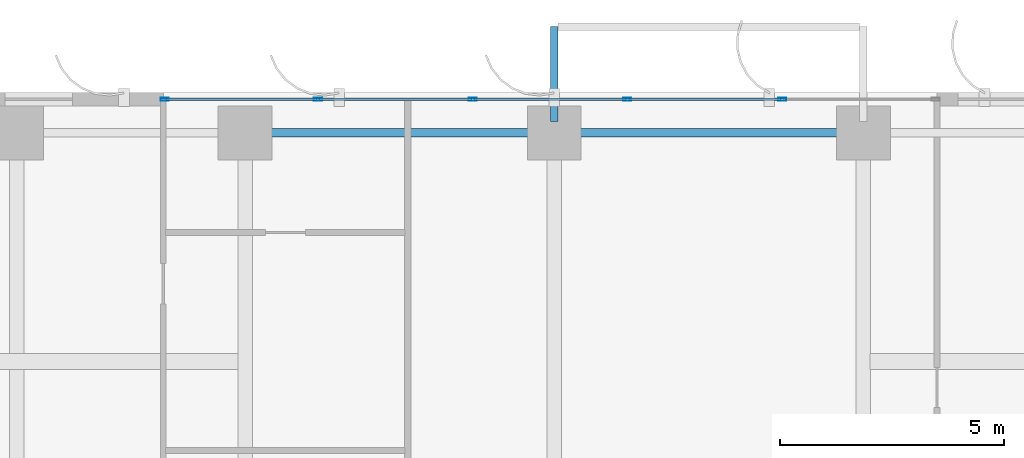
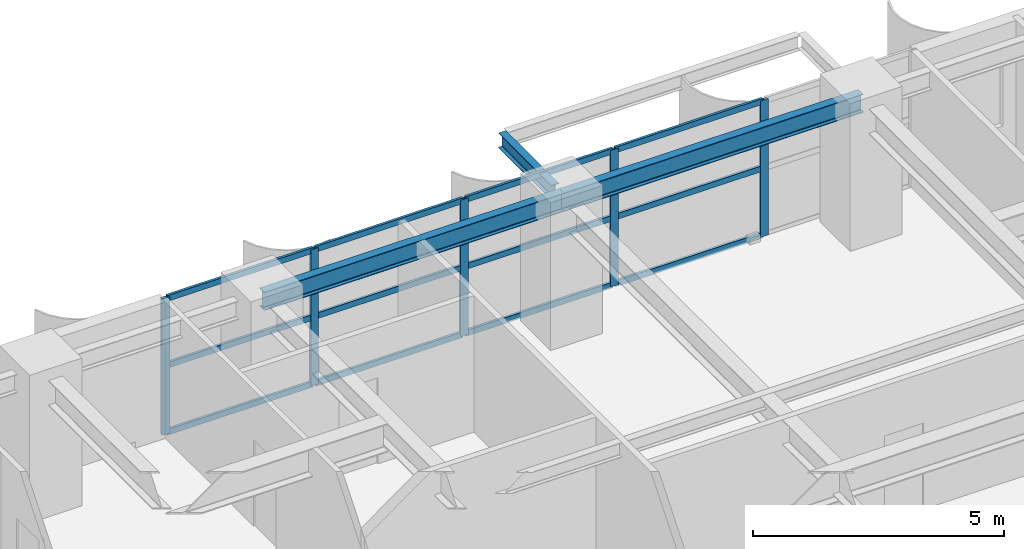
# One storey, part 12 of 25: 17 members, 3 beams, 1 element without a shape of its own.
"""IFC4 building model written with IfcOpenShell, lengths in metres."""

from ifc_helpers import new_model, si_unit, direction, frame, origin, origin_2d, place, context, subcontext, project, spatial, hollow_rectangle, i_section, extrude, source, transform, mapped, material, layer, layer_set, material_profile, profile_set, type_object, element, aggregate, save


model = new_model("IFC4")

# Units and contexts
model_context = context("Model", 3, precision=1e-05, world=origin(), true_north=direction((0.0, 1.0)))
body_context = subcontext(model_context, "Body", "Model", "MODEL_VIEW")
ifc_project = project(units=[si_unit("LENGTHUNIT", "METRE"), si_unit("AREAUNIT", "SQUARE_METRE"), si_unit("VOLUMEUNIT", "CUBIC_METRE"), si_unit("PLANEANGLEUNIT", "RADIAN"), si_unit("MASSUNIT", "GRAM", prefix="KILO")], contexts=[model_context])

# Site, building, storey
site_placement = place(None, origin())
site = spatial("IfcSite", under=ifc_project, at=site_placement, CompositionType="ELEMENT")
building_placement = place(site_placement, origin())
building = spatial("IfcBuilding", under=site, at=building_placement, Name="Khoralis Quay Care Tower", CompositionType="ELEMENT")
storey_placement = place(building_placement, frame((0.0, 0.0, 65.699951171875)))
storey = spatial("IfcBuildingStorey", under=building, at=storey_placement, Name="L17", CompositionType="ELEMENT", Elevation=65.699951171875)

# Beams
ifc_material_1 = material(Name="Steel S355", Category="steel")
ifc_material_profile_1 = material_profile(ifc_material_1, i_section(OverallWidth=0.18994140625, OverallDepth=0.449951171875, WebThickness=0.009521484375, FlangeThickness=0.0146484375, FilletRadius=0.02099609375, at=origin_2d()), Name="Steel S355")
ifc_profile_set_1 = profile_set([ifc_material_profile_1], Name="Steel S355")
beam_type_1 = type_object("IfcBeamType", Name="BM-IPE450", PredefinedType="SPANDREL", material=ifc_profile_set_1)
shared_shape_1 = source(origin(), body_context, "Body", "SweptSolid", [
    extrude(i_section(OverallWidth=0.18994140625, OverallDepth=0.449951171875, WebThickness=0.009521484375, FlangeThickness=0.0146484375, FilletRadius=0.02099609375, at=origin_2d()), origin(), (0.0, 0.0, 1.0), 6.89990234375),
])
for number, where, z_axis, x_axis, name in (
    (1, (17.10009765625, 47.10009765625, 3.094970703125), (1.0, 0.0, 0.0), (0.0, 1.0, 0.0), "BM-TSP-L17-09"),
    (2, (24.0, 47.10009765625, 3.094970703125), (1.0, 0.0, 0.0), (0.0, 1.0, 0.0), "BM-TSP-L17-10"),
):
    element("IfcBeam", number, at=place(storey_placement, frame(where, z_axis=z_axis, x_axis=x_axis)), inside=storey, type_object=beam_type_1, Name=name, PredefinedType="SPANDREL", context=body_context, shape_type="MappedRepresentation", body=[
        mapped(shared_shape_1, transform((0.0, 0.0, 0.0), scale=1.0)),
    ])

# Curtain wall, members
ifc_material_2 = material(Name="Pale anodised aluminium", Category="aluminium")
ifc_layer = layer(ifc_material_2, 0.179931640625)
ifc_layer_set = layer_set([ifc_layer], Name="Pale anodised aluminium")
curtain_wall_type = type_object("IfcCurtainWallType", Name="CW-SYS-Z1", PredefinedType="NOTDEFINED", material=ifc_layer_set)
curtain_wall_placement = place(storey_placement, origin())
curtain_wall = element("IfcCurtainWall", 3, at=curtain_wall_placement, inside=storey, type_object=curtain_wall_type, Name="L17 Unitised Curtain Wall CW-L17-P1-E10", PredefinedType="NOTDEFINED")
ifc_material_profile_2 = material_profile(ifc_material_2, hollow_rectangle(XDim=0.06494140625, YDim=0.179931640625, WallThickness=0.00390625, at=origin_2d()), Name="Pale anodised aluminium")
ifc_profile_set_2 = profile_set([ifc_material_profile_2], Name="Pale anodised aluminium")
member_type_1 = type_object("IfcMemberType", Name="CW-MUL-180", PredefinedType="MULLION", material=ifc_profile_set_2)
shared_shape_2 = source(origin(), body_context, "Body", "SweptSolid", [
    extrude(hollow_rectangle(XDim=0.06494140625, YDim=0.179931640625, WallThickness=0.00390625, at=origin_2d()), origin(), (0.0, 0.0, 1.0), 3.320068359375),
])
member_1_placement = place(storey_placement, frame((29.0869140625, 47.85009765625, 0.0), z_axis=(0.0, 0.0, 1.0), x_axis=(0.0, -1.0, 0.0)))
member_1 = element("IfcMember", 4, at=member_1_placement, type_object=member_type_1, Name="CW1 mullion 2", PredefinedType="MULLION", context=body_context, shape_type="MappedRepresentation", body=[
    mapped(shared_shape_2, transform((0.0, 0.0, 0.0), scale=1.0)),
])
member_2_placement = place(storey_placement, frame((25.633544921875, 47.85009765625, 0.0), z_axis=(0.0, 0.0, 1.0), x_axis=(0.0, -1.0, 0.0)))
member_2 = element("IfcMember", 5, at=member_2_placement, type_object=member_type_1, Name="CW1 mullion 3", PredefinedType="MULLION", context=body_context, shape_type="MappedRepresentation", body=[
    mapped(shared_shape_2, transform((0.0, 0.0, 0.0), scale=1.0)),
])
member_3_placement = place(storey_placement, frame((22.180419921875, 47.85009765625, 0.0), z_axis=(0.0, 0.0, 1.0), x_axis=(0.0, -1.0, 0.0)))
member_3 = element("IfcMember", 6, at=member_3_placement, type_object=member_type_1, Name="CW1 mullion 4", PredefinedType="MULLION", context=body_context, shape_type="MappedRepresentation", body=[
    mapped(shared_shape_2, transform((0.0, 0.0, 0.0), scale=1.0)),
])
member_4_placement = place(storey_placement, frame((18.727294921875, 47.85009765625, 0.0), z_axis=(0.0, 0.0, 1.0), x_axis=(0.0, -1.0, 0.0)))
member_4 = element("IfcMember", 7, at=member_4_placement, type_object=member_type_1, Name="CW1 mullion 5", PredefinedType="MULLION", context=body_context, shape_type="MappedRepresentation", body=[
    mapped(shared_shape_2, transform((0.0, 0.0, 0.0), scale=1.0)),
])
member_5_placement = place(storey_placement, frame((15.303955078125, 47.85009765625, 0.0), z_axis=(0.0, 0.0, 1.0), x_axis=(0.0, -1.0, 0.0)))
member_5 = element("IfcMember", 8, at=member_5_placement, type_object=member_type_1, Name="CW1 mullion 6", PredefinedType="MULLION", context=body_context, shape_type="MappedRepresentation", body=[
    mapped(shared_shape_2, transform((0.0, 0.0, 0.0), scale=1.0)),
])

# Beam
ifc_material_profile_3 = material_profile(ifc_material_1, i_section(OverallWidth=0.169921875, OverallDepth=0.360107421875, WebThickness=0.008056640625, FlangeThickness=0.0126953125, FilletRadius=0.01806640625, at=origin_2d()), Name="Steel S355")
ifc_profile_set_3 = profile_set([ifc_material_profile_3], Name="Steel S355")
beam_type_2 = type_object("IfcBeamType", Name="BM-IPE360", PredefinedType="SPANDREL", material=ifc_profile_set_3)
shared_shape_3 = source(origin(), body_context, "Body", "SweptSolid", [
    extrude(i_section(OverallWidth=0.169921875, OverallDepth=0.360107421875, WebThickness=0.008056640625, FlangeThickness=0.0126953125, FilletRadius=0.01806640625, at=origin_2d()), origin(), (0.0, 0.0, 1.0), 2.119873046875),
])
beam_placement = place(storey_placement, frame((24.0, 47.35009765625, 3.14404296875), z_axis=(0.0, 1.0, 0.0), x_axis=(-1.0, 0.0, 0.0)))
element("IfcBeam", 9, at=beam_placement, inside=storey, type_object=beam_type_2, Name="L18 Balcony Cantilever Outrigger Beam 1", PredefinedType="SPANDREL", context=body_context, shape_type="MappedRepresentation", body=[
    mapped(shared_shape_3, transform((0.0, 0.0, 0.0), scale=1.0)),
])

# Member
ifc_material_profile_4 = material_profile(ifc_material_2, hollow_rectangle(XDim=0.06005859375, YDim=0.139892578125, WallThickness=0.00390625, at=origin_2d()), Name="Pale anodised aluminium")
ifc_profile_set_4 = profile_set([ifc_material_profile_4], Name="Pale anodised aluminium")
member_type_2 = type_object("IfcMemberType", Name="CW-TRN-140", PredefinedType="USERDEFINED", material=ifc_profile_set_4)
shared_shape_4 = source(origin(), body_context, "Body", "SweptSolid", [
    extrude(hollow_rectangle(XDim=0.06005859375, YDim=0.139892578125, WallThickness=0.00390625, at=origin_2d()), origin(), (0.0, 0.0, 1.0), 3.36328125),
])
member_6_placement = place(storey_placement, frame((18.697265625, 47.85009765625, 0.030029296875), z_axis=(-1.0, 0.0, 0.0), x_axis=(0.0, -1.0, 0.0)))
member_6 = element("IfcMember", 10, at=member_6_placement, type_object=member_type_2, Name="CW1 transom 5.1", ObjectType="TRANSOM", PredefinedType="USERDEFINED", context=body_context, shape_type="MappedRepresentation", body=[
    mapped(shared_shape_4, transform((0.0, 0.0, 0.0), scale=1.0)),
])

member_7_placement = place(storey_placement, frame((18.697265625, 47.85009765625, 1.66015625), z_axis=(-1.0, 0.0, 0.0), x_axis=(0.0, -1.0, 0.0)))
member_7 = element("IfcMember", 11, at=member_7_placement, type_object=member_type_2, Name="CW1 transom 5.2", ObjectType="TRANSOM", PredefinedType="USERDEFINED", context=body_context, shape_type="MappedRepresentation", body=[
    mapped(shared_shape_4, transform((0.0, 0.0, 0.0), scale=1.0)),
])

member_8_placement = place(storey_placement, frame((18.697265625, 47.85009765625, 3.2900390625), z_axis=(-1.0, 0.0, 0.0), x_axis=(0.0, -1.0, 0.0)))
member_8 = element("IfcMember", 12, at=member_8_placement, type_object=member_type_2, Name="CW1 transom 5.3", ObjectType="TRANSOM", PredefinedType="USERDEFINED", context=body_context, shape_type="MappedRepresentation", body=[
    mapped(shared_shape_4, transform((0.0, 0.0, 0.0), scale=1.0)),
])

shared_shape_5 = source(origin(), body_context, "Body", "SweptSolid", [
    extrude(hollow_rectangle(XDim=0.06005859375, YDim=0.139892578125, WallThickness=0.00390625, at=origin_2d()), origin(), (0.0, 0.0, 1.0), 3.393310546875),
])
member_9_placement = place(storey_placement, frame((29.056884765625, 47.85009765625, 0.030029296875), z_axis=(-1.0, 0.0, 0.0), x_axis=(0.0, -1.0, 0.0)))
member_9 = element("IfcMember", 13, at=member_9_placement, type_object=member_type_2, Name="CW1 transom 2.1", ObjectType="TRANSOM", PredefinedType="USERDEFINED", context=body_context, shape_type="MappedRepresentation", body=[
    mapped(shared_shape_5, transform((0.0, 0.0, 0.0), scale=1.0)),
])

member_10_placement = place(storey_placement, frame((29.056884765625, 47.85009765625, 1.66015625), z_axis=(-1.0, 0.0, 0.0), x_axis=(0.0, -1.0, 0.0)))
member_10 = element("IfcMember", 14, at=member_10_placement, type_object=member_type_2, Name="CW1 transom 2.2", ObjectType="TRANSOM", PredefinedType="USERDEFINED", context=body_context, shape_type="MappedRepresentation", body=[
    mapped(shared_shape_5, transform((0.0, 0.0, 0.0), scale=1.0)),
])

member_11_placement = place(storey_placement, frame((29.056884765625, 47.85009765625, 3.2900390625), z_axis=(-1.0, 0.0, 0.0), x_axis=(0.0, -1.0, 0.0)))
member_11 = element("IfcMember", 15, at=member_11_placement, type_object=member_type_2, Name="CW1 transom 2.3", ObjectType="TRANSOM", PredefinedType="USERDEFINED", context=body_context, shape_type="MappedRepresentation", body=[
    mapped(shared_shape_5, transform((0.0, 0.0, 0.0), scale=1.0)),
])

member_12_placement = place(storey_placement, frame((22.150390625, 47.85009765625, 0.030029296875), z_axis=(-1.0, 0.0, 0.0), x_axis=(0.0, -1.0, 0.0)))
member_12 = element("IfcMember", 16, at=member_12_placement, type_object=member_type_2, Name="CW1 transom 4.1", ObjectType="TRANSOM", PredefinedType="USERDEFINED", context=body_context, shape_type="MappedRepresentation", body=[
    mapped(shared_shape_5, transform((0.0, 0.0, 0.0), scale=1.0)),
])

member_13_placement = place(storey_placement, frame((22.150390625, 47.85009765625, 1.66015625), z_axis=(-1.0, 0.0, 0.0), x_axis=(0.0, -1.0, 0.0)))
member_13 = element("IfcMember", 17, at=member_13_placement, type_object=member_type_2, Name="CW1 transom 4.2", ObjectType="TRANSOM", PredefinedType="USERDEFINED", context=body_context, shape_type="MappedRepresentation", body=[
    mapped(shared_shape_5, transform((0.0, 0.0, 0.0), scale=1.0)),
])

member_14_placement = place(storey_placement, frame((22.150390625, 47.85009765625, 3.2900390625), z_axis=(-1.0, 0.0, 0.0), x_axis=(0.0, -1.0, 0.0)))
member_14 = element("IfcMember", 18, at=member_14_placement, type_object=member_type_2, Name="CW1 transom 4.3", ObjectType="TRANSOM", PredefinedType="USERDEFINED", context=body_context, shape_type="MappedRepresentation", body=[
    mapped(shared_shape_5, transform((0.0, 0.0, 0.0), scale=1.0)),
])

shared_shape_6 = source(origin(), body_context, "Body", "SweptSolid", [
    extrude(hollow_rectangle(XDim=0.06005859375, YDim=0.139892578125, WallThickness=0.00390625, at=origin_2d()), origin(), (0.0, 0.0, 1.0), 3.39306640625),
])
member_15_placement = place(storey_placement, frame((25.603515625, 47.85009765625, 0.030029296875), z_axis=(-1.0, 0.0, 0.0), x_axis=(0.0, -1.0, 0.0)))
member_15 = element("IfcMember", 19, at=member_15_placement, type_object=member_type_2, Name="CW1 transom 3.1", ObjectType="TRANSOM", PredefinedType="USERDEFINED", context=body_context, shape_type="MappedRepresentation", body=[
    mapped(shared_shape_6, transform((0.0, 0.0, 0.0), scale=1.0)),
])

member_16_placement = place(storey_placement, frame((25.603515625, 47.85009765625, 1.66015625), z_axis=(-1.0, 0.0, 0.0), x_axis=(0.0, -1.0, 0.0)))
member_16 = element("IfcMember", 20, at=member_16_placement, type_object=member_type_2, Name="CW1 transom 3.2", ObjectType="TRANSOM", PredefinedType="USERDEFINED", context=body_context, shape_type="MappedRepresentation", body=[
    mapped(shared_shape_6, transform((0.0, 0.0, 0.0), scale=1.0)),
])

member_17_placement = place(storey_placement, frame((25.603515625, 47.85009765625, 3.2900390625), z_axis=(-1.0, 0.0, 0.0), x_axis=(0.0, -1.0, 0.0)))
member_17 = element("IfcMember", 21, at=member_17_placement, type_object=member_type_2, Name="CW1 transom 3.3", ObjectType="TRANSOM", PredefinedType="USERDEFINED", context=body_context, shape_type="MappedRepresentation", body=[
    mapped(shared_shape_6, transform((0.0, 0.0, 0.0), scale=1.0)),
])

aggregate(curtain_wall, [member_1, member_2, member_3, member_4, member_5, member_9, member_10, member_11, member_15, member_16, member_17, member_12, member_13, member_14, member_6, member_7, member_8])

save(model, "model.ifc")
